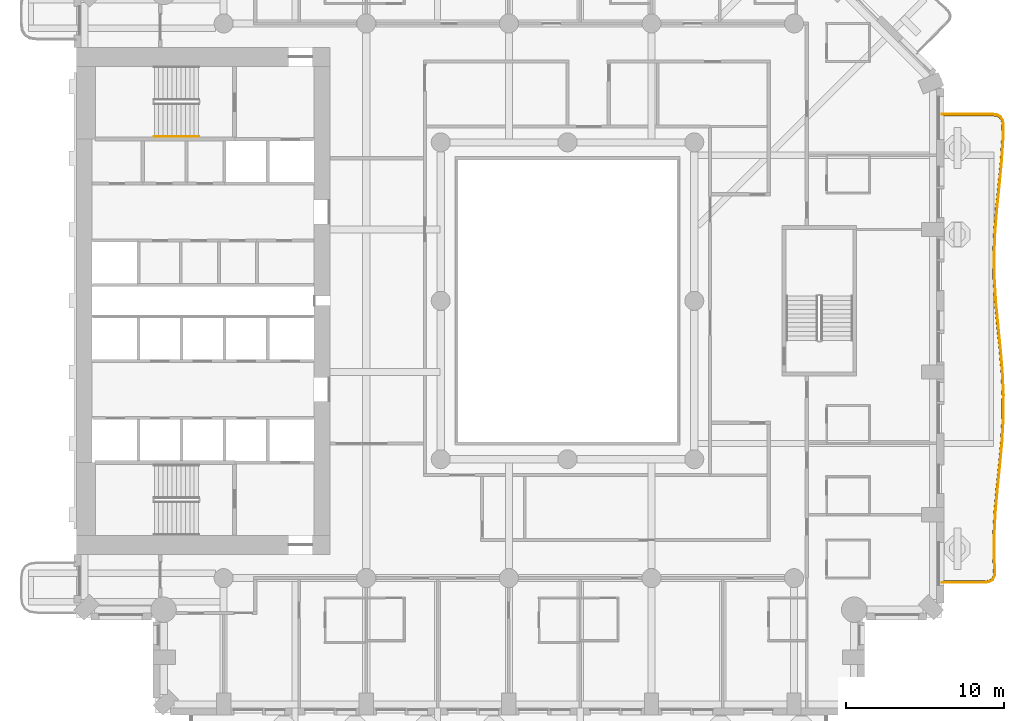
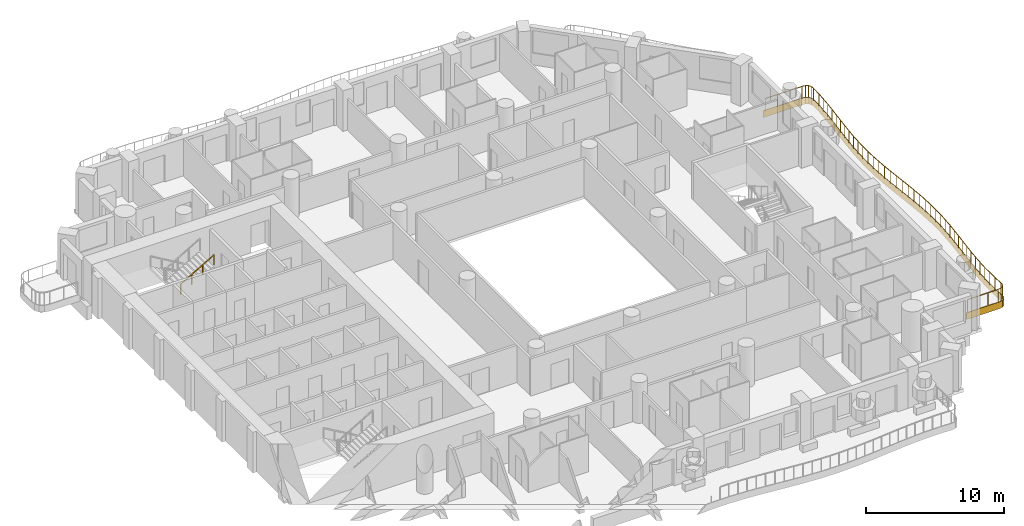
# One storey, part 16 of 20: 2 railings, 1 covering.
"""IFC4 building model written with IfcOpenShell, lengths in metres."""

from ifc_helpers import new_model, si_unit, direction, frame, origin, origin_2d, place, context, subcontext, project, spatial, polyline, rectangle, outline, extrude, material, layer, layer_set, type_object, element, save


model = new_model("IFC4")

# Units and contexts
model_context = context("Model", 3, precision=1e-05, world=origin(), true_north=direction((0.0, 1.0)))
body_context = subcontext(model_context, "Body", "Model", "MODEL_VIEW")
ifc_project = project(units=[si_unit("LENGTHUNIT", "METRE"), si_unit("AREAUNIT", "SQUARE_METRE"), si_unit("VOLUMEUNIT", "CUBIC_METRE"), si_unit("PLANEANGLEUNIT", "RADIAN"), si_unit("MASSUNIT", "GRAM", prefix="KILO")], contexts=[model_context])

# Site, building, storey
site_placement = place(None, origin())
site = spatial("IfcSite", under=ifc_project, at=site_placement, CompositionType="ELEMENT")
building_placement = place(site_placement, origin())
building = spatial("IfcBuilding", under=site, at=building_placement, Name="Cypress Arch Tower", CompositionType="ELEMENT")
storey_placement = place(building_placement, frame((0.0, 0.0, 84.300048828125)))
storey = spatial("IfcBuildingStorey", under=building, at=storey_placement, Name="L15", CompositionType="ELEMENT", Elevation=84.300048828125)

# Covering
ifc_material_1 = material(Name="White powder-coated aluminium fascia", Category="aluminium")
ifc_layer = layer(ifc_material_1, 0.050048828125)
ifc_layer_set = layer_set([ifc_layer], Name="Balcony fascia BF50")
covering_type = type_object("IfcCoveringType", Name="Balcony fascia BF50", PredefinedType="CLADDING", material=ifc_layer_set)
covering_placement = place(storey_placement, frame((0.0, 0.0, -0.60009765625)))
element("IfcCovering", 1, at=covering_placement, inside=storey, type_object=covering_type, Name="Balcony fascia L15-A06", PredefinedType="CLADDING", context=body_context, shape_type="SweptSolid", body=[
    extrude(outline(polyline([(27.838623046875, 11.800048828125), (28.141845703125, 11.756591796875), (28.36669921875, 11.6201171875), (28.499267578125, 11.39306640625), (28.537353515625, 11.0888671875), (28.52294921875, 10.27294921875), (28.42626953125, 8.7958984375), (28.28369140625, 7.320068359375), (28.132568359375, 5.845458984375), (28.011962890625, 4.3720703125), (27.952880859375, 2.8994140625), (27.970947265625, 1.4267578125), (28.06103515625, -0.046142578125), (28.2001953125, -1.52001953125), (28.352294921875, -2.995361328125), (28.47802734375, -4.4716796875), (28.54443359375, -5.948974609375), (28.534423828125, -7.426513671875), (28.45068359375, -8.90380859375), (28.314697265625, -10.3798828125), (28.162109375, -11.854736328125), (28.0322265625, -13.328369140625), (27.958984375, -14.80126953125), (27.9609375, -16.273681640625), (28.00341796875, -17.087158203125), (27.9755859375, -17.3916015625), (27.8505859375, -17.61962890625), (27.629150390625, -17.756591796875), (27.326904296875, -17.800048828125), (24.60107421875, -17.800048828125), (24.60107421875, -17.75), (27.3232421875, -17.75), (27.61181640625, -17.70849609375), (27.81298828125, -17.583984375), (27.9267578125, -17.376708984375), (27.953125, -17.086181640625), (27.910888671875, -16.27490234375), (27.908935546875, -14.800048828125), (27.982421875, -13.324951171875), (28.1123046875, -11.85009765625), (28.264892578125, -10.375), (28.400634765625, -8.89990234375), (28.484375, -7.425048828125), (28.494384765625, -5.949951171875), (28.42822265625, -4.47509765625), (28.302490234375, -3.0), (28.150390625, -1.52490234375), (28.01123046875, -0.050048828125), (27.9208984375, 1.425048828125), (27.90283203125, 2.89990234375), (27.9619140625, 4.375), (28.082763671875, 5.85009765625), (28.23388671875, 7.324951171875), (28.376220703125, 8.800048828125), (28.472900390625, 10.27490234375), (28.4873046875, 11.086181640625), (28.450927734375, 11.376708984375), (28.330078125, 11.583984375), (28.124755859375, 11.70849609375), (27.8349609375, 11.75), (24.60107421875, 11.75), (24.60107421875, 11.800048828125), (27.838623046875, 11.800048828125)])), origin(), (0.0, 0.0, 1.0), 0.60009765625),
])

# Railings
ifc_material_2 = material(Name="Powder-coated steel posts and rods, 100 mm clear between rods", Category="steel")
railing_type_1 = type_object("IfcRailingType", Name="Balcony guard GR1100", PredefinedType="GUARDRAIL", material=ifc_material_2)
railing_1_placement = place(storey_placement, frame((24.75, 11.699951171875, 0.0)))
element("IfcRailing", 2, at=railing_1_placement, inside=storey, type_object=railing_type_1, Name="Balcony guard L15-A06", PredefinedType="GUARDRAIL", context=body_context, shape_type="SweptSolid", body=[
    extrude(rectangle(XDim=0.050048828125, YDim=0.050048828125, at=origin_2d()), frame((0.0, 0.0, 1.0751953125), z_axis=(1.0, 0.0, 0.0), x_axis=(0.0, 1.0, 0.0)), (0.0, 0.0, 1.0), 3.08154296875),
    extrude(rectangle(XDim=0.050048828125, YDim=0.050048828125, at=origin_2d()), frame((3.08154296875, 0.0, 1.0751953125), z_axis=(0.989879292165, -0.141911898523, 0.0), x_axis=(0.141911898523, 0.989879292165, 0.0)), (0.0, 0.0, 1.0), 0.27880859375),
    extrude(rectangle(XDim=0.050048828125, YDim=0.050048828125, at=origin_2d()), frame((3.357421875, -0.03955078125, 1.0751953125), z_axis=(0.855303487968, -0.518127342908, 0.0), x_axis=(0.518127342908, 0.855303487968, 0.0)), (0.0, 0.0, 1.0), 0.21728515625),
    extrude(rectangle(XDim=0.050048828125, YDim=0.050048828125, at=origin_2d()), frame((3.543212890625, -0.152099609375, 1.0751953125), z_axis=(0.503871025524, -0.863778900898, 0.0), x_axis=(0.863778900898, 0.503871025524, 0.0)), (0.0, 0.0, 1.0), 0.217041015625),
    extrude(rectangle(XDim=0.050048828125, YDim=0.050048828125, at=origin_2d()), frame((3.652587890625, -0.339599609375, 1.0751953125), z_axis=(0.124250116485, -0.992250930236, 0.0), x_axis=(0.992250930236, 0.124250116485, 0.0)), (0.0, 0.0, 1.0), 0.279052734375),
    extrude(rectangle(XDim=0.050048828125, YDim=0.050048828125, at=origin_2d()), frame((3.687255859375, -0.616455078125, 1.0751953125), z_axis=(-0.017557087503, -0.99984586246, 0.0), x_axis=(0.99984586246, -0.017557087503, 0.0)), (0.0, 0.0, 1.0), 0.806640625),
    extrude(rectangle(XDim=0.050048828125, YDim=0.050048828125, at=origin_2d()), frame((3.673095703125, -1.4228515625, 1.0751953125), z_axis=(-0.065487230581, -0.997853407386, 0.0), x_axis=(0.997853407386, -0.065487230581, 0.0)), (0.0, 0.0, 1.0), 1.476318359375),
    extrude(rectangle(XDim=0.050048828125, YDim=0.050048828125, at=origin_2d()), frame((3.576416015625, -2.89599609375, 1.0751953125), z_axis=(-0.095944854399, -0.995386650963, 0.0), x_axis=(0.995386650963, -0.095944854399, 0.0)), (0.0, 0.0, 1.0), 1.48095703125),
    extrude(rectangle(XDim=0.050048828125, YDim=0.050048828125, at=origin_2d()), frame((3.434326171875, -4.3701171875, 1.0751953125), z_axis=(-0.102062281429, -0.994778010769, 0.0), x_axis=(0.994778010769, -0.102062281429, 0.0)), (0.0, 0.0, 1.0), 1.483154296875),
    extrude(rectangle(XDim=0.050048828125, YDim=0.050048828125, at=origin_2d()), frame((3.282958984375, -5.845458984375, 1.0751953125), z_axis=(-0.081572481641, -0.996667412048, 0.0), x_axis=(0.996667412048, -0.081572481641, 0.0)), (0.0, 0.0, 1.0), 1.4814453125),
    extrude(rectangle(XDim=0.050048828125, YDim=0.050048828125, at=origin_2d()), frame((3.162109375, -7.322021484375, 1.0751953125), z_axis=(-0.039961443702, -0.999201222486, 0.0), x_axis=(0.999201222486, -0.039961443702, 0.0)), (0.0, 0.0, 1.0), 1.478515625),
    extrude(rectangle(XDim=0.050048828125, YDim=0.050048828125, at=origin_2d()), frame((3.10302734375, -8.79931640625, 1.0751953125), z_axis=(0.012061250829, -0.999927260469, 0.0), x_axis=(0.999927260469, 0.012061250829, 0.0)), (0.0, 0.0, 1.0), 1.4775390625),
    extrude(rectangle(XDim=0.050048828125, YDim=0.050048828125, at=origin_2d()), frame((3.120849609375, -10.27685546875, 1.0751953125), z_axis=(0.061207339196, -0.998125073139, 0.0), x_axis=(0.998125073139, 0.061207339196, 0.0)), (0.0, 0.0, 1.0), 1.479736328125),
    extrude(rectangle(XDim=0.050048828125, YDim=0.050048828125, at=origin_2d()), frame((3.21142578125, -11.75390625, 1.0751953125), z_axis=(0.094024217474, -0.995569910417, 0.0), x_axis=(0.995569910417, 0.094024217474, 0.0)), (0.0, 0.0, 1.0), 1.482666015625),
    extrude(rectangle(XDim=0.050048828125, YDim=0.050048828125, at=origin_2d()), frame((3.350830078125, -13.22998046875, 1.0751953125), z_axis=(0.102601349714, -0.99472255581, 0.0), x_axis=(0.99472255581, 0.102601349714, 0.0)), (0.0, 0.0, 1.0), 1.482421875),
    extrude(rectangle(XDim=0.050048828125, YDim=0.050048828125, at=origin_2d()), frame((3.5029296875, -14.70458984375, 1.0751953125), z_axis=(0.084684757833, -0.996407793923, 0.0), x_axis=(0.996407793923, 0.084684757833, 0.0)), (0.0, 0.0, 1.0), 1.47900390625),
    extrude(rectangle(XDim=0.050048828125, YDim=0.050048828125, at=origin_2d()), frame((3.628173828125, -16.17822265625, 1.0751953125), z_axis=(0.045047062915, -0.998984865813, 0.0), x_axis=(0.998984865813, 0.045047062915, 0.0)), (0.0, 0.0, 1.0), 1.47412109375),
    extrude(rectangle(XDim=0.050048828125, YDim=0.050048828125, at=origin_2d()), frame((3.694580078125, -17.65087890625, 1.0751953125), z_axis=(-0.006798052166, -0.999976892976, 0.0), x_axis=(0.999976892976, -0.006798052166, 0.0)), (0.0, 0.0, 1.0), 1.472412109375),
    extrude(rectangle(XDim=0.050048828125, YDim=0.050048828125, at=origin_2d()), frame((3.6845703125, -19.123291015625, 1.0751953125), z_axis=(-0.05676230535, -0.998387720623, 0.0), x_axis=(0.998387720623, -0.05676230535, 0.0)), (0.0, 0.0, 1.0), 1.475341796875),
    extrude(rectangle(XDim=0.050048828125, YDim=0.050048828125, at=origin_2d()), frame((3.600830078125, -20.59619140625, 1.0751953125), z_axis=(-0.09171059319, -0.9957857034, 0.0), x_axis=(0.9957857034, -0.09171059319, 0.0)), (0.0, 0.0, 1.0), 1.480224609375),
    extrude(rectangle(XDim=0.050048828125, YDim=0.050048828125, at=origin_2d()), frame((3.465087890625, -22.070068359375, 1.0751953125), z_axis=(-0.102893534307, -0.994692374857, 0.0), x_axis=(0.994692374857, -0.102893534307, 0.0)), (0.0, 0.0, 1.0), 1.48291015625),
    extrude(rectangle(XDim=0.050048828125, YDim=0.050048828125, at=origin_2d()), frame((3.3125, -23.545166015625, 1.0751953125), z_axis=(-0.087638998496, -0.996152300576, 0.0), x_axis=(0.996152300576, -0.087638998496, 0.0)), (0.0, 0.0, 1.0), 1.48193359375),
    extrude(rectangle(XDim=0.050048828125, YDim=0.050048828125, at=origin_2d()), frame((3.1826171875, -25.021484375, 1.0751953125), z_axis=(-0.049847062052, -0.998756862507, 0.0), x_axis=(0.998756862507, -0.049847062052, 0.0)), (0.0, 0.0, 1.0), 1.479248046875),
    extrude(rectangle(XDim=0.050048828125, YDim=0.050048828125, at=origin_2d()), frame((3.10888671875, -26.498779296875, 1.0751953125), z_axis=(0.001321875911, -0.999999126322, 0.0), x_axis=(0.999999126322, 0.001321875911, 0.0)), (0.0, 0.0, 1.0), 1.4775390625),
    extrude(rectangle(XDim=0.050048828125, YDim=0.050048828125, at=origin_2d()), frame((3.11083984375, -27.976318359375, 1.0751953125), z_axis=(0.052147484219, -0.998639394321, 0.0), x_axis=(0.998639394321, 0.052147484219, 0.0)), (0.0, 0.0, 1.0), 0.81005859375),
    extrude(rectangle(XDim=0.050048828125, YDim=0.050048828125, at=origin_2d()), frame((3.153076171875, -28.78515625, 1.0751953125), z_axis=(-0.090535746043, -0.995893206468, 0.0), x_axis=(0.995893206468, -0.090535746043, 0.0)), (0.0, 0.0, 1.0), 0.27783203125),
    extrude(rectangle(XDim=0.050048828125, YDim=0.050048828125, at=origin_2d()), frame((3.1279296875, -29.061767578125, 1.0751953125), z_axis=(-0.480377620856, -0.877061766001, 0.0), x_axis=(0.877061766001, -0.480377620856, 0.0)), (0.0, 0.0, 1.0), 0.212890625),
    extrude(rectangle(XDim=0.050048828125, YDim=0.050048828125, at=origin_2d()), frame((3.025634765625, -29.24853515625, 1.0751953125), z_axis=(-0.850948766681, -0.52524869965, 0.0), x_axis=(0.52524869965, -0.850948766681, 0.0)), (0.0, 0.0, 1.0), 0.212890625),
    extrude(rectangle(XDim=0.050048828125, YDim=0.050048828125, at=origin_2d()), frame((2.844482421875, -29.3603515625, 1.0751953125), z_axis=(-0.989808356363, -0.142405820365, 0.0), x_axis=(0.142405820365, -0.989808356363, 0.0)), (0.0, 0.0, 1.0), 0.27783203125),
    extrude(rectangle(XDim=0.050048828125, YDim=0.050048828125, at=origin_2d()), frame((2.569580078125, -29.39990234375, 1.0751953125), z_axis=(-1.0, 0.0, 0.0), x_axis=(0.0, -1.0, 0.0)), (0.0, 0.0, 1.0), 2.569580078125),
    extrude(rectangle(XDim=0.0400390625, YDim=0.0400390625, at=origin_2d()), origin(), (0.0, 0.0, 1.0), 1.050048828125),
    extrude(rectangle(XDim=0.0400390625, YDim=0.0400390625, at=origin_2d()), frame((1.027099609375, 0.0, 0.0)), (0.0, 0.0, 1.0), 1.050048828125),
    extrude(rectangle(XDim=0.0400390625, YDim=0.0400390625, at=origin_2d()), frame((2.054443359375, 0.0, 0.0)), (0.0, 0.0, 1.0), 1.050048828125),
    extrude(rectangle(XDim=0.0400390625, YDim=0.0400390625, at=origin_2d()), frame((3.08154296875, 0.0, 0.0)), (0.0, 0.0, 1.0), 1.050048828125),
    extrude(rectangle(XDim=0.0400390625, YDim=0.0400390625, at=origin_2d()), frame((3.357421875, -0.03955078125, 0.0)), (0.0, 0.0, 1.0), 1.050048828125),
    extrude(rectangle(XDim=0.0400390625, YDim=0.0400390625, at=origin_2d()), frame((3.543212890625, -0.152099609375, 0.0)), (0.0, 0.0, 1.0), 1.050048828125),
    extrude(rectangle(XDim=0.0400390625, YDim=0.0400390625, at=origin_2d()), frame((3.652587890625, -0.339599609375, 0.0)), (0.0, 0.0, 1.0), 1.050048828125),
    extrude(rectangle(XDim=0.0400390625, YDim=0.0400390625, at=origin_2d()), frame((3.687255859375, -0.616455078125, 0.0)), (0.0, 0.0, 1.0), 1.050048828125),
    extrude(rectangle(XDim=0.0400390625, YDim=0.0400390625, at=origin_2d()), frame((3.673095703125, -1.4228515625, 0.0)), (0.0, 0.0, 1.0), 1.050048828125),
    extrude(rectangle(XDim=0.0400390625, YDim=0.0400390625, at=origin_2d()), frame((3.624755859375, -2.159423828125, 0.0)), (0.0, 0.0, 1.0), 1.050048828125),
    extrude(rectangle(XDim=0.0400390625, YDim=0.0400390625, at=origin_2d()), frame((3.576416015625, -2.89599609375, 0.0)), (0.0, 0.0, 1.0), 1.050048828125),
    extrude(rectangle(XDim=0.0400390625, YDim=0.0400390625, at=origin_2d()), frame((3.50537109375, -3.633056640625, 0.0)), (0.0, 0.0, 1.0), 1.050048828125),
    extrude(rectangle(XDim=0.0400390625, YDim=0.0400390625, at=origin_2d()), frame((3.434326171875, -4.3701171875, 0.0)), (0.0, 0.0, 1.0), 1.050048828125),
    extrude(rectangle(XDim=0.0400390625, YDim=0.0400390625, at=origin_2d()), frame((3.358642578125, -5.10791015625, 0.0)), (0.0, 0.0, 1.0), 1.050048828125),
    extrude(rectangle(XDim=0.0400390625, YDim=0.0400390625, at=origin_2d()), frame((3.282958984375, -5.845458984375, 0.0)), (0.0, 0.0, 1.0), 1.050048828125),
    extrude(rectangle(XDim=0.0400390625, YDim=0.0400390625, at=origin_2d()), frame((3.22265625, -6.583740234375, 0.0)), (0.0, 0.0, 1.0), 1.050048828125),
    extrude(rectangle(XDim=0.0400390625, YDim=0.0400390625, at=origin_2d()), frame((3.162109375, -7.322021484375, 0.0)), (0.0, 0.0, 1.0), 1.050048828125),
    extrude(rectangle(XDim=0.0400390625, YDim=0.0400390625, at=origin_2d()), frame((3.132568359375, -8.060546875, 0.0)), (0.0, 0.0, 1.0), 1.050048828125),
    extrude(rectangle(XDim=0.0400390625, YDim=0.0400390625, at=origin_2d()), frame((3.10302734375, -8.79931640625, 0.0)), (0.0, 0.0, 1.0), 1.050048828125),
    extrude(rectangle(XDim=0.0400390625, YDim=0.0400390625, at=origin_2d()), frame((3.11181640625, -9.5380859375, 0.0)), (0.0, 0.0, 1.0), 1.050048828125),
    extrude(rectangle(XDim=0.0400390625, YDim=0.0400390625, at=origin_2d()), frame((3.120849609375, -10.27685546875, 0.0)), (0.0, 0.0, 1.0), 1.050048828125),
    extrude(rectangle(XDim=0.0400390625, YDim=0.0400390625, at=origin_2d()), frame((3.166015625, -11.015380859375, 0.0)), (0.0, 0.0, 1.0), 1.050048828125),
    extrude(rectangle(XDim=0.0400390625, YDim=0.0400390625, at=origin_2d()), frame((3.21142578125, -11.75390625, 0.0)), (0.0, 0.0, 1.0), 1.050048828125),
    extrude(rectangle(XDim=0.0400390625, YDim=0.0400390625, at=origin_2d()), frame((3.28125, -12.491943359375, 0.0)), (0.0, 0.0, 1.0), 1.050048828125),
    extrude(rectangle(XDim=0.0400390625, YDim=0.0400390625, at=origin_2d()), frame((3.350830078125, -13.22998046875, 0.0)), (0.0, 0.0, 1.0), 1.050048828125),
    extrude(rectangle(XDim=0.0400390625, YDim=0.0400390625, at=origin_2d()), frame((3.4267578125, -13.96728515625, 0.0)), (0.0, 0.0, 1.0), 1.050048828125),
    extrude(rectangle(XDim=0.0400390625, YDim=0.0400390625, at=origin_2d()), frame((3.5029296875, -14.70458984375, 0.0)), (0.0, 0.0, 1.0), 1.050048828125),
    extrude(rectangle(XDim=0.0400390625, YDim=0.0400390625, at=origin_2d()), frame((3.5654296875, -15.44140625, 0.0)), (0.0, 0.0, 1.0), 1.050048828125),
    extrude(rectangle(XDim=0.0400390625, YDim=0.0400390625, at=origin_2d()), frame((3.628173828125, -16.17822265625, 0.0)), (0.0, 0.0, 1.0), 1.050048828125),
    extrude(rectangle(XDim=0.0400390625, YDim=0.0400390625, at=origin_2d()), frame((3.661376953125, -16.91455078125, 0.0)), (0.0, 0.0, 1.0), 1.050048828125),
    extrude(rectangle(XDim=0.0400390625, YDim=0.0400390625, at=origin_2d()), frame((3.694580078125, -17.65087890625, 0.0)), (0.0, 0.0, 1.0), 1.050048828125),
    extrude(rectangle(XDim=0.0400390625, YDim=0.0400390625, at=origin_2d()), frame((3.689453125, -18.38720703125, 0.0)), (0.0, 0.0, 1.0), 1.050048828125),
    extrude(rectangle(XDim=0.0400390625, YDim=0.0400390625, at=origin_2d()), frame((3.6845703125, -19.123291015625, 0.0)), (0.0, 0.0, 1.0), 1.050048828125),
    extrude(rectangle(XDim=0.0400390625, YDim=0.0400390625, at=origin_2d()), frame((3.642578125, -19.85986328125, 0.0)), (0.0, 0.0, 1.0), 1.050048828125),
    extrude(rectangle(XDim=0.0400390625, YDim=0.0400390625, at=origin_2d()), frame((3.600830078125, -20.59619140625, 0.0)), (0.0, 0.0, 1.0), 1.050048828125),
    extrude(rectangle(XDim=0.0400390625, YDim=0.0400390625, at=origin_2d()), frame((3.532958984375, -21.3330078125, 0.0)), (0.0, 0.0, 1.0), 1.050048828125),
    extrude(rectangle(XDim=0.0400390625, YDim=0.0400390625, at=origin_2d()), frame((3.465087890625, -22.070068359375, 0.0)), (0.0, 0.0, 1.0), 1.050048828125),
    extrude(rectangle(XDim=0.0400390625, YDim=0.0400390625, at=origin_2d()), frame((3.388671875, -22.8076171875, 0.0)), (0.0, 0.0, 1.0), 1.050048828125),
    extrude(rectangle(XDim=0.0400390625, YDim=0.0400390625, at=origin_2d()), frame((3.3125, -23.545166015625, 0.0)), (0.0, 0.0, 1.0), 1.050048828125),
    extrude(rectangle(XDim=0.0400390625, YDim=0.0400390625, at=origin_2d()), frame((3.24755859375, -24.283203125, 0.0)), (0.0, 0.0, 1.0), 1.050048828125),
    extrude(rectangle(XDim=0.0400390625, YDim=0.0400390625, at=origin_2d()), frame((3.1826171875, -25.021484375, 0.0)), (0.0, 0.0, 1.0), 1.050048828125),
    extrude(rectangle(XDim=0.0400390625, YDim=0.0400390625, at=origin_2d()), frame((3.145751953125, -25.76025390625, 0.0)), (0.0, 0.0, 1.0), 1.050048828125),
    extrude(rectangle(XDim=0.0400390625, YDim=0.0400390625, at=origin_2d()), frame((3.10888671875, -26.498779296875, 0.0)), (0.0, 0.0, 1.0), 1.050048828125),
    extrude(rectangle(XDim=0.0400390625, YDim=0.0400390625, at=origin_2d()), frame((3.10986328125, -27.237548828125, 0.0)), (0.0, 0.0, 1.0), 1.050048828125),
    extrude(rectangle(XDim=0.0400390625, YDim=0.0400390625, at=origin_2d()), frame((3.11083984375, -27.976318359375, 0.0)), (0.0, 0.0, 1.0), 1.050048828125),
    extrude(rectangle(XDim=0.0400390625, YDim=0.0400390625, at=origin_2d()), frame((3.153076171875, -28.78515625, 0.0)), (0.0, 0.0, 1.0), 1.050048828125),
    extrude(rectangle(XDim=0.0400390625, YDim=0.0400390625, at=origin_2d()), frame((3.1279296875, -29.061767578125, 0.0)), (0.0, 0.0, 1.0), 1.050048828125),
    extrude(rectangle(XDim=0.0400390625, YDim=0.0400390625, at=origin_2d()), frame((3.025634765625, -29.24853515625, 0.0)), (0.0, 0.0, 1.0), 1.050048828125),
    extrude(rectangle(XDim=0.0400390625, YDim=0.0400390625, at=origin_2d()), frame((2.844482421875, -29.3603515625, 0.0)), (0.0, 0.0, 1.0), 1.050048828125),
    extrude(rectangle(XDim=0.0400390625, YDim=0.0400390625, at=origin_2d()), frame((2.569580078125, -29.39990234375, 0.0)), (0.0, 0.0, 1.0), 1.050048828125),
    extrude(rectangle(XDim=0.0400390625, YDim=0.0400390625, at=origin_2d()), frame((1.713134765625, -29.39990234375, 0.0)), (0.0, 0.0, 1.0), 1.050048828125),
    extrude(rectangle(XDim=0.0400390625, YDim=0.0400390625, at=origin_2d()), frame((0.8564453125, -29.39990234375, 0.0)), (0.0, 0.0, 1.0), 1.050048828125),
    extrude(rectangle(XDim=0.0400390625, YDim=0.0400390625, at=origin_2d()), frame((0.0, -29.39990234375, 0.0)), (0.0, 0.0, 1.0), 1.050048828125),
])
ifc_material_3 = material(Name="Black powder-coated steel square bar 48 mm", Category="steel")
railing_type_2 = type_object("IfcRailingType", Name="Stair handrail HR1", PredefinedType="HANDRAIL", material=ifc_material_3)
railing_2_placement = place(storey_placement, frame((-25.074951171875, 10.375, 1.963623046875)))
element("IfcRailing", 3, at=railing_2_placement, inside=storey, type_object=railing_type_2, Name="L15 B stair handrail 2", PredefinedType="HANDRAIL", context=body_context, shape_type="SweptSolid", body=[
    extrude(rectangle(XDim=0.048095703125, YDim=0.048095703125, at=origin_2d()), frame((0.0, 0.0, 0.8759765625), z_axis=(0.863393664356, 0.0, 0.504530851732), x_axis=(0.0, 1.0, 0.0)), (0.0, 0.0, 1.0), 3.2431640625),
    extrude(rectangle(XDim=0.0419921875, YDim=0.0419921875, at=origin_2d()), origin(), (0.0, 0.0, 1.0), 0.851806640625),
    extrude(rectangle(XDim=0.0419921875, YDim=0.0419921875, at=origin_2d()), frame((0.933349609375, 0.0, 0.54541015625)), (0.0, 0.0, 1.0), 0.851806640625),
    extrude(rectangle(XDim=0.0419921875, YDim=0.0419921875, at=origin_2d()), frame((1.86669921875, 0.0, 1.0908203125)), (0.0, 0.0, 1.0), 0.851806640625),
    extrude(rectangle(XDim=0.0419921875, YDim=0.0419921875, at=origin_2d()), frame((2.800048828125, 0.0, 1.63623046875)), (0.0, 0.0, 1.0), 0.851806640625),
])

save(model, "model.ifc")
